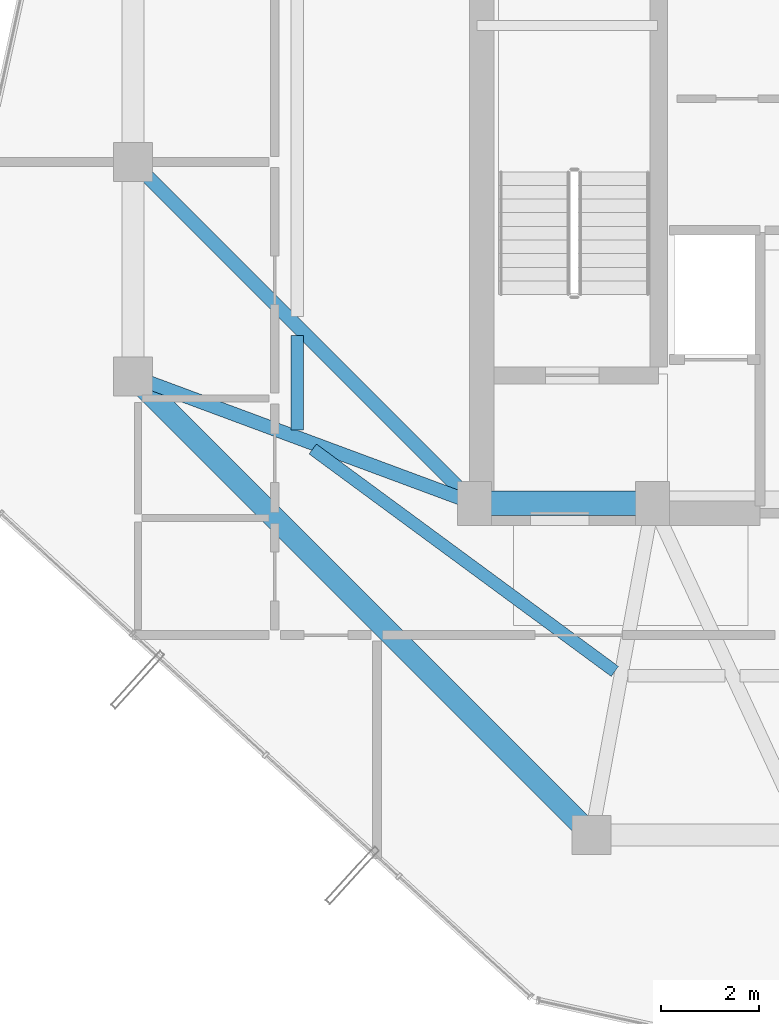
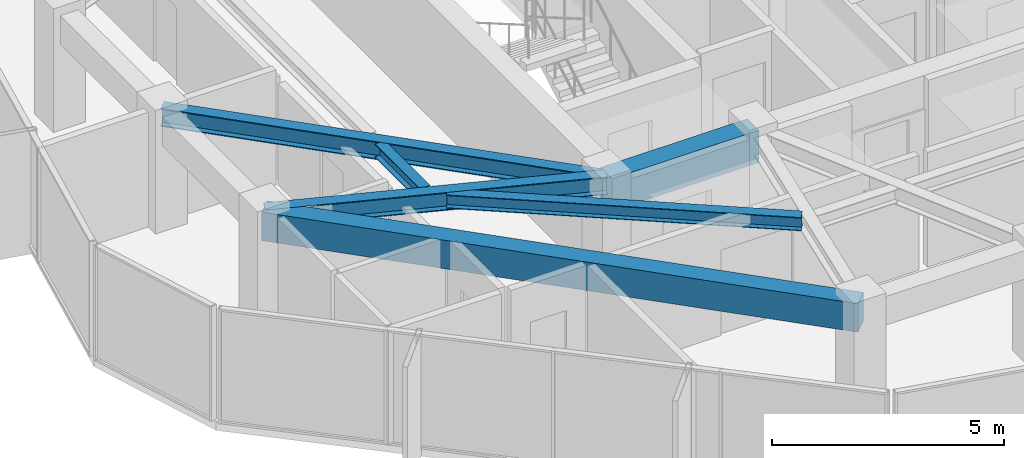
# One storey, part 6 of 28: 6 beams.
"""IFC4 building model written with IfcOpenShell, lengths in metres."""

from ifc_helpers import new_model, si_unit, direction, frame, origin, origin_2d, place, context, subcontext, project, spatial, rectangle, i_section, extrude, material, material_profile, profile_set, type_object, element, save


model = new_model("IFC4")

# Units and contexts
model_context = context("Model", 3, precision=1e-05, world=origin(), true_north=direction((0.0, 1.0)))
body_context = subcontext(model_context, "Body", "Model", "MODEL_VIEW")
ifc_project = project(units=[si_unit("LENGTHUNIT", "METRE"), si_unit("AREAUNIT", "SQUARE_METRE"), si_unit("VOLUMEUNIT", "CUBIC_METRE"), si_unit("PLANEANGLEUNIT", "RADIAN"), si_unit("MASSUNIT", "GRAM", prefix="KILO")], contexts=[model_context])

# Site, building, storey
site_placement = place(None, origin())
site = spatial("IfcSite", under=ifc_project, at=site_placement, CompositionType="ELEMENT")
building_placement = place(site_placement, origin())
building = spatial("IfcBuilding", under=site, at=building_placement, Name="Veraguas Prism Commons", CompositionType="ELEMENT")
storey_placement = place(building_placement, frame((0.0, 0.0, 251.25)))
storey = spatial("IfcBuildingStorey", under=building, at=storey_placement, Name="L71", CompositionType="ELEMENT", Elevation=251.25)

# Beams
ifc_material_1 = material(Name="Concrete C50/60", Category="concrete")
ifc_material_profile_1 = material_profile(ifc_material_1, rectangle(XDim=0.5, YDim=0.85009765625, at=origin_2d()), Name="RC500X850")
ifc_profile_set_1 = profile_set([ifc_material_profile_1], Name="Concrete C50/60")
beam_type_1 = type_object("IfcBeamType", Name="Core Coupling Beam RC 500x850", PredefinedType="BEAM", material=ifc_profile_set_1)
beam_1_placement = place(storey_placement, frame((17.199951171875, 17.0, 2.590087890625), z_axis=(1.0, 0.0, 0.0), x_axis=(0.0, 1.0, 0.0)))
element("IfcBeam", 1, at=beam_1_placement, inside=storey, type_object=beam_type_1, Name="Core Coupling Beam L71-CRS1", PredefinedType="BEAM", context=body_context, shape_type="SweptSolid", body=[
    extrude(rectangle(XDim=0.5, YDim=0.85009765625, at=origin_2d()), origin(), (0.0, 0.0, 1.0), 3.650146484375),
])
ifc_material_profile_2 = material_profile(ifc_material_1, rectangle(XDim=0.449951171875, YDim=0.75, at=origin_2d()), Name="RC450X750")
ifc_profile_set_2 = profile_set([ifc_material_profile_2], Name="Concrete C50/60")
beam_type_2 = type_object("IfcBeamType", Name="Perimeter Spandrel Upper RC 450x750", PredefinedType="SPANDREL", material=ifc_profile_set_2)
beam_2_placement = place(storey_placement, frame((10.199951171875, 19.60009765625, 2.639892578125), z_axis=(0.707106781187, -0.707106781187, 0.0), x_axis=(0.707106781187, 0.707106781187, 0.0)))
element("IfcBeam", 2, at=beam_2_placement, inside=storey, type_object=beam_type_2, Name="Perimeter Spandrel Beam L71-SP09", PredefinedType="SPANDREL", context=body_context, shape_type="SweptSolid", body=[
    extrude(rectangle(XDim=0.449951171875, YDim=0.75, at=origin_2d()), origin(), (0.0, 0.0, 1.0), 13.293701171875),
])
ifc_material_2 = material(Name="Steel ASTM A992 Grade 50", Category="steel")
ifc_material_profile_3 = material_profile(ifc_material_2, i_section(OverallWidth=0.25390625, OverallDepth=0.35302734375, WebThickness=0.009521484375, FlangeThickness=0.016357421875, at=origin_2d()), Name="W360X91")
ifc_profile_set_3 = profile_set([ifc_material_profile_3], Name="Steel ASTM A992 Grade 50")
beam_type_3 = type_object("IfcBeamType", Name="Upper Floor Joist W360x91", PredefinedType="JOIST", material=ifc_profile_set_3)
beam_3_placement = place(storey_placement, frame((13.56005859375, 20.442626953125, 2.83837890625), z_axis=(0.0, -1.0, 0.0), x_axis=(1.0, 0.0, 0.0)))
element("IfcBeam", 3, at=beam_3_placement, inside=storey, type_object=beam_type_3, Name="Composite Floor Joist L71-JS08", PredefinedType="JOIST", context=body_context, shape_type="SweptSolid", body=[
    extrude(i_section(OverallWidth=0.25390625, OverallDepth=0.35302734375, WebThickness=0.009521484375, FlangeThickness=0.016357421875, at=origin_2d()), origin(), (0.0, 0.0, 1.0), 1.94189453125),
])
beam_4_placement = place(storey_placement, frame((13.881103515625, 18.11572265625, 2.83837890625), z_axis=(0.805319835229, -0.592840588174, 0.0), x_axis=(0.592840588174, 0.805319835229, 0.0)))
element("IfcBeam", 4, at=beam_4_placement, inside=storey, type_object=beam_type_3, Name="Composite Floor Joist L71-JS09", PredefinedType="JOIST", context=body_context, shape_type="SweptSolid", body=[
    extrude(i_section(OverallWidth=0.25390625, OverallDepth=0.35302734375, WebThickness=0.009521484375, FlangeThickness=0.016357421875, at=origin_2d()), origin(), (0.0, 0.0, 1.0), 7.69140625),
])
ifc_material_profile_4 = material_profile(ifc_material_2, i_section(OverallWidth=0.282958984375, OverallDepth=0.471923828125, WebThickness=0.013671875, FlangeThickness=0.022216796875, at=origin_2d()), Name="W460X144")
ifc_profile_set_4 = profile_set([ifc_material_profile_4], Name="Steel ASTM A992 Grade 50")
beam_type_4 = type_object("IfcBeamType", Name="Zone 4 Radial Girder W460x144", PredefinedType="BEAM", material=ifc_profile_set_4)
beam_5_placement = place(storey_placement, frame((10.199951171875, 24.0, 2.779052734375), z_axis=(0.707106781187, -0.707106781187, 0.0), x_axis=(0.707106781187, 0.707106781187, 0.0)))
element("IfcBeam", 5, at=beam_5_placement, inside=storey, type_object=beam_type_4, Name="Radial Floor Girder L71-RD08", PredefinedType="BEAM", context=body_context, shape_type="SweptSolid", body=[
    extrude(i_section(OverallWidth=0.282958984375, OverallDepth=0.471923828125, WebThickness=0.013671875, FlangeThickness=0.022216796875, at=origin_2d()), origin(), (0.0, 0.0, 1.0), 9.8994140625),
])
beam_6_placement = place(storey_placement, frame((10.199951171875, 19.60009765625, 2.779052734375), z_axis=(0.937421003341, -0.348198021958, 0.0), x_axis=(0.348198021958, 0.937421003341, 0.0)))
element("IfcBeam", 6, at=beam_6_placement, inside=storey, type_object=beam_type_4, Name="Radial Floor Girder L71-RD09", PredefinedType="BEAM", context=body_context, shape_type="SweptSolid", body=[
    extrude(i_section(OverallWidth=0.282958984375, OverallDepth=0.471923828125, WebThickness=0.013671875, FlangeThickness=0.022216796875, at=origin_2d()), origin(), (0.0, 0.0, 1.0), 7.46728515625),
])

save(model, "model.ifc")
